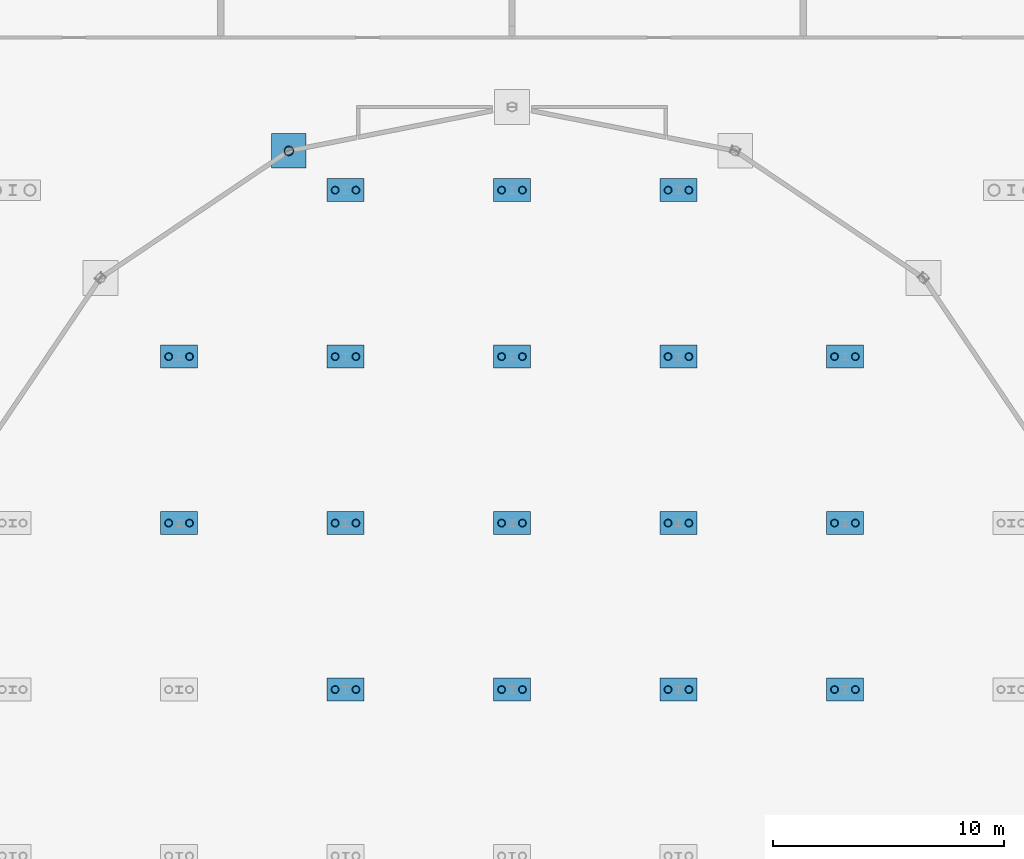
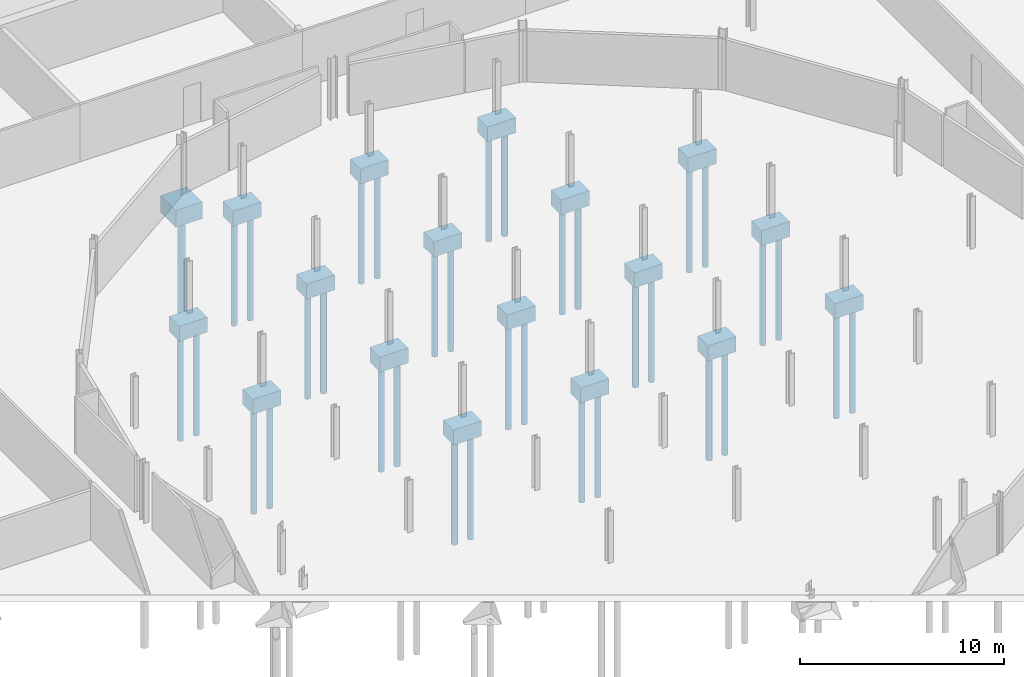
# One storey, part 10 of 148: 35 piles, 18 footings.
"""IFC4 building model written with IfcOpenShell, lengths in metres."""

import ifcopenshell
import ifcopenshell.guid

model = None  # the IFC model being written
_history = None  # IfcOwnerHistory: only IFC2X3 demands one
_inside = {}  # id of a spatial element -> (the spatial element, [elements in it])
_under = {}  # id of a project, library or spatial element -> (it, [spatial elements below it])
_declared = {}  # id of a project -> (the project, [libraries it declares])
_typed = {}  # id of a type object -> (the type object, [elements of that type])
_made_of = {}  # id of a material, layer set ... -> (it, [elements and type objects made of it])


def new_model(schema):
    """Start an empty IFC model of exactly this schema.

    Asked for "IFC4X3", IfcOpenShell would pick the latest addendum, in which some entities
    have other attributes; the version numbers below select the first issue.
    IFC2X3 requires an IfcOwnerHistory on every rooted entity: one is made here for all.
    """
    global model, _history
    if schema == "IFC4X3":
        model = ifcopenshell.file(schema_version=(4, 3, 0, 0))
    else:
        model = ifcopenshell.file(schema=schema)
    _inside.clear()
    _under.clear()
    _declared.clear()
    _typed.clear()
    _made_of.clear()
    _history = None
    if model.schema == "IFC2X3":
        org = make("IfcOrganization", Name="unknown")
        user = make(
            "IfcPersonAndOrganization",
            ThePerson=make("IfcPerson", FamilyName="unknown"),
            TheOrganization=org,
        )
        app = make(
            "IfcApplication",
            ApplicationDeveloper=org,
            Version="unknown",
            ApplicationFullName="unknown",
            ApplicationIdentifier="unknown",
        )
        _history = make(
            "IfcOwnerHistory",
            OwningUser=user,
            OwningApplication=app,
            ChangeAction="ADDED",
            CreationDate=0,
        )
    return model


def make(cls, **values):
    """One entity of the class cls with the attributes given. An attribute that is None is left unset."""
    return model.create_entity(
        cls, **{name: value for name, value in values.items() if value is not None}
    )


def rooted(cls, **values):
    """An entity with a GlobalId (a new one), such as an element, a storey or a relation."""
    return make(cls, GlobalId=ifcopenshell.guid.new(), OwnerHistory=_history, **values)


def si_unit(unit_type, name, prefix=None):
    """IfcSIUnit, for example si_unit("LENGTHUNIT", "METRE", prefix="MILLI")."""
    return make("IfcSIUnit", UnitType=unit_type, Prefix=prefix, Name=name)


def assignment(units):
    """IfcUnitAssignment: the units of a project."""
    return None if units is None else make("IfcUnitAssignment", Units=units)


def point(xyz):
    """IfcCartesianPoint."""
    return None if xyz is None else make("IfcCartesianPoint", Coordinates=xyz)


def direction(xyz):
    """IfcDirection."""
    return None if xyz is None else make("IfcDirection", DirectionRatios=xyz)


def frame(location, z_axis=None, x_axis=None):
    """IfcAxis2Placement3D, a coordinate frame: its origin and axes. An axis left out is left unset."""
    return make(
        "IfcAxis2Placement3D",
        Location=point(location),
        Axis=direction(z_axis),
        RefDirection=direction(x_axis),
    )


def frame_2d(location, x_axis=None):
    """IfcAxis2Placement2D, a coordinate frame in the plane: its origin and x axis."""
    return make(
        "IfcAxis2Placement2D", Location=point(location), RefDirection=direction(x_axis)
    )


def origin():
    """The frame at (0, 0, 0) with its axes left unset."""
    return frame((0.0, 0.0, 0.0))


def origin_2d():
    """The frame at (0, 0) in the plane with its x axis left unset."""
    return frame_2d((0.0, 0.0))


def place(relative_to, where):
    """IfcLocalPlacement: puts the frame where relative to a parent placement (None: the world)."""
    return make(
        "IfcLocalPlacement", PlacementRelTo=relative_to, RelativePlacement=where
    )


def context(
    kind, dimensions, precision=None, world=None, true_north=None, identifier=None
):
    """IfcGeometricRepresentationContext, for example the 3D "Model" context."""
    return make(
        "IfcGeometricRepresentationContext",
        ContextIdentifier=identifier,
        ContextType=kind,
        CoordinateSpaceDimension=dimensions,
        Precision=precision,
        WorldCoordinateSystem=world,
        TrueNorth=true_north,
    )


def subcontext(parent, identifier, kind, view, scale=None):
    """IfcGeometricRepresentationSubContext, for example "Body" below "Model"."""
    return make(
        "IfcGeometricRepresentationSubContext",
        ContextIdentifier=identifier,
        ContextType=kind,
        ParentContext=parent,
        TargetScale=scale,
        TargetView=view,
    )


def project(units=None, contexts=None):
    """IfcProject with its units and contexts."""
    return rooted(
        "IfcProject",
        Name="project",
        RepresentationContexts=contexts,
        UnitsInContext=assignment(units),
    )


def spatial(cls, under=None, at=None, **own):
    """A site, building, storey or space (cls), placed at a placement, below another one or the project."""
    s = rooted(cls, ObjectPlacement=at, **own)
    if under is not None:
        _under.setdefault(under.id(), (under, []))[1].append(s)
    return s


def profile(cls, at=None, kind="AREA", **sizes):
    """A parametric profile (cls). Its sizes go by their IFC names, for example OverallWidth=200.0."""
    return make(cls, ProfileType=kind, Position=at, **sizes)


def rectangle(**sizes):
    """IfcRectangleProfileDef."""
    return profile("IfcRectangleProfileDef", **sizes)


def hollow_circle(**sizes):
    """IfcCircleHollowProfileDef."""
    return profile("IfcCircleHollowProfileDef", **sizes)


def extrude(swept, where, along, depth):
    """IfcExtrudedAreaSolid: the profile swept, set in the frame where, extruded along a direction by depth."""
    return make(
        "IfcExtrudedAreaSolid",
        SweptArea=swept,
        Position=where,
        ExtrudedDirection=direction(along),
        Depth=depth,
    )


def shape(context_of_items, identifier, shape_type, items):
    """IfcShapeRepresentation: the items that make up one representation, for example the "Body"."""
    return make(
        "IfcShapeRepresentation",
        ContextOfItems=context_of_items,
        RepresentationIdentifier=identifier,
        RepresentationType=shape_type,
        Items=items,
    )


def material(Name=None, Category=None):
    """IfcMaterial."""
    return make("IfcMaterial", Name=Name, Category=Category)


def layer(
    of_material, thickness, ventilated=None, Name=None, Category=None, Priority=None
):
    """IfcMaterialLayer: one layer of a wall or slab, of a material (None: an air gap)."""
    return make(
        "IfcMaterialLayer",
        Material=of_material,
        LayerThickness=thickness,
        IsVentilated=ventilated,
        Name=Name,
        Category=Category,
        Priority=Priority,
    )


def layer_set(layers, Name=None):
    """IfcMaterialLayerSet."""
    return make("IfcMaterialLayerSet", MaterialLayers=layers, LayerSetName=Name)


def material_profile(
    of_material, cross_section, Name=None, Category=None, Priority=None
):
    """IfcMaterialProfile: a cross section and its material."""
    return make(
        "IfcMaterialProfile",
        Name=Name,
        Material=of_material,
        Profile=cross_section,
        Priority=Priority,
        Category=Category,
    )


def profile_set(profiles, Name=None, composite=None):
    """IfcMaterialProfileSet."""
    return make(
        "IfcMaterialProfileSet",
        Name=Name,
        MaterialProfiles=profiles,
        CompositeProfile=composite,
    )


def made_of(thing, what):
    """Note that an element or type object is made of a material, layer set ...; save() writes the relation."""
    if what is not None:
        _made_of.setdefault(what.id(), (what, []))[1].append(thing)
    return thing


def type_object(cls, material=None, **own):
    """A type object (cls), such as IfcWallType, which elements share."""
    return made_of(rooted(cls, **own), material)


def element(
    cls,
    number,
    at=None,
    inside=None,
    cuts=None,
    type_object=None,
    material=None,
    context=None,
    identifier="Body",
    shape_type=None,
    held_by="IfcProductDefinitionShape",
    body=None,
    shapes=None,
    **own,
):
    """One element of the class cls, such as IfcWall. Its Tag is "e" and its number.

    at: its placement. inside: the storey or other place that contains it. cuts: it is an
    opening in that element (IfcRelVoidsElement). A single representation is given by context,
    identifier, shape_type and body (its items); several are given by shapes. held_by: the class
    of the entity that holds the representations. save() writes the other relations.
    """
    e = rooted(cls, Tag="e%d" % number, ObjectPlacement=at, **own)
    if body is not None:
        shapes = [shape(context, identifier, shape_type, body)]
    if shapes is not None:
        e.Representation = make(held_by, Representations=shapes)
    if inside is not None:
        _inside.setdefault(inside.id(), (inside, []))[1].append(e)
    if cuts is not None:
        rooted(
            "IfcRelVoidsElement", RelatingBuildingElement=cuts, RelatedOpeningElement=e
        )
    if type_object is not None:
        _typed.setdefault(type_object.id(), (type_object, []))[1].append(e)
    return made_of(e, material)


def aggregate(whole, parts):
    """IfcRelAggregates: a whole, such as a stair, and the parts it consists of."""
    return rooted("IfcRelAggregates", RelatingObject=whole, RelatedObjects=parts)


def save(model, path):
    """Write the relations noted so far, then the file.

    IfcRelAggregates (storeys below a building ...), IfcRelContainedInSpatialStructure (elements
    in a storey), IfcRelDefinesByType, IfcRelAssociatesMaterial and IfcRelDeclares: one each for
    every whole, place, type object, material and project.
    """
    for whole, parts in _under.values():
        aggregate(whole, parts)
    for where, things in _inside.values():
        rooted(
            "IfcRelContainedInSpatialStructure",
            RelatedElements=things,
            RelatingStructure=where,
        )
    for kind, things in _typed.values():
        rooted("IfcRelDefinesByType", RelatedObjects=things, RelatingType=kind)
    for what, things in _made_of.values():
        rooted("IfcRelAssociatesMaterial", RelatedObjects=things, RelatingMaterial=what)
    for by, libraries in _declared.values():
        rooted("IfcRelDeclares", RelatingContext=by, RelatedDefinitions=libraries)
    model.write(path)


model = new_model("IFC4")

# Units and contexts
model_context = context("Model", 3, precision=1e-05, world=origin(), true_north=direction((0.0, 1.0)))
body_context = subcontext(model_context, "Body", "Model", "MODEL_VIEW")
ifc_project = project(units=[si_unit("LENGTHUNIT", "METRE"), si_unit("AREAUNIT", "SQUARE_METRE"), si_unit("VOLUMEUNIT", "CUBIC_METRE"), si_unit("PLANEANGLEUNIT", "RADIAN"), si_unit("MASSUNIT", "GRAM", prefix="KILO")], contexts=[model_context])

# Site, building, storey
site_placement = place(None, origin())
site = spatial("IfcSite", under=ifc_project, at=site_placement, CompositionType="ELEMENT")
building_placement = place(site_placement, origin())
building = spatial("IfcBuilding", under=site, at=building_placement, Name="Kupolbacken Congress Centre", CompositionType="ELEMENT")
storey_placement = place(building_placement, origin())
storey = spatial("IfcBuildingStorey", under=building, at=storey_placement, Name="L00", CompositionType="ELEMENT", Elevation=0.0)

# Footings
ifc_material_1 = material(Name="Concrete C30/37", Category="concrete")
ifc_layer_1 = layer(ifc_material_1, 0.89990234375)
ifc_layer_set_1 = layer_set([ifc_layer_1], Name="Concrete C30/37")
footing_type_1 = type_object("IfcFootingType", Name="PC7 pile cap 1.60 x 1.00 x 0.90 m", PredefinedType="PILE_CAP", material=ifc_layer_set_1)
for number, where, z_axis, x_axis, name in (
    (1, (28.800048828125, 93.60009765625, -1.199951171875), (0.0, 0.0, 1.0), (1.0, 0.0, 0.0), "S/fnd/C-PL-288-936/cap"),
    (2, (28.800048828125, 100.800048828125, -1.199951171875), (0.0, 0.0, 1.0), (1.0, 0.0, 0.0), "S/fnd/C-PL-288-1008/cap"),
    (3, (36.0, 86.39990234375, -1.199951171875), (0.0, 0.0, 1.0), (1.0, 0.0, 0.0), "S/fnd/C-PL-360-864/cap"),
    (4, (36.0, 93.60009765625, -1.199951171875), (0.0, 0.0, 1.0), (1.0, 0.0, 0.0), "S/fnd/C-PL-360-936/cap"),
    (5, (36.0, 100.800048828125, -1.199951171875), (0.0, 0.0, 1.0), (1.0, 0.0, 0.0), "S/fnd/C-PL-360-1008/cap"),
    (6, (36.0, 108.0, -1.199951171875), (0.0, 0.0, 1.0), (1.0, 0.0, 0.0), "S/fnd/C-PL-360-1080/cap"),
    (7, (43.199951171875, 86.39990234375, -1.199951171875), (0.0, 0.0, 1.0), (1.0, 0.0, 0.0), "S/fnd/C-PL-432-864/cap"),
    (8, (43.199951171875, 93.60009765625, -1.199951171875), (0.0, 0.0, 1.0), (1.0, 0.0, 0.0), "S/fnd/C-PL-432-936/cap"),
    (9, (43.199951171875, 100.800048828125, -1.199951171875), (0.0, 0.0, 1.0), (1.0, 0.0, 0.0), "S/fnd/C-PL-432-1008/cap"),
    (10, (43.199951171875, 108.0, -1.199951171875), (0.0, 0.0, 1.0), (1.0, 0.0, 0.0), "S/fnd/C-PL-432-1080/cap"),
    (11, (50.39990234375, 86.39990234375, -1.199951171875), (0.0, 0.0, 1.0), (1.0, 0.0, 0.0), "S/fnd/C-PL-504-864/cap"),
    (12, (50.39990234375, 93.60009765625, -1.199951171875), (0.0, 0.0, 1.0), (1.0, 0.0, 0.0), "S/fnd/C-PL-504-936/cap"),
    (13, (50.39990234375, 100.800048828125, -1.199951171875), (0.0, 0.0, 1.0), (1.0, 0.0, 0.0), "S/fnd/C-PL-504-1008/cap"),
    (14, (50.39990234375, 108.0, -1.199951171875), (0.0, 0.0, 1.0), (1.0, 0.0, 0.0), "S/fnd/C-PL-504-1080/cap"),
    (15, (57.60009765625, 86.39990234375, -1.199951171875), (0.0, 0.0, 1.0), (1.0, 0.0, 0.0), "S/fnd/C-PL-576-864/cap"),
    (16, (57.60009765625, 93.60009765625, -1.199951171875), (0.0, 0.0, 1.0), (1.0, 0.0, 0.0), "S/fnd/C-PL-576-936/cap"),
    (17, (57.60009765625, 100.800048828125, -1.199951171875), (0.0, 0.0, 1.0), (1.0, 0.0, 0.0), "S/fnd/C-PL-576-1008/cap"),
):
    element("IfcFooting", number, at=place(storey_placement, frame(where, z_axis=z_axis, x_axis=x_axis)), inside=storey, type_object=footing_type_1, Name=name, PredefinedType="PILE_CAP", context=body_context, shape_type="SweptSolid", body=[
        extrude(rectangle(XDim=1.60009765625, YDim=1.0, at=origin_2d()), origin(), (0.0, 0.0, 1.0), 0.89990234375),
    ])
ifc_material_2 = material(Name="Concrete C30/37", Category="concrete")
ifc_layer_2 = layer(ifc_material_2, 1.0)
ifc_layer_set_2 = layer_set([ifc_layer_2], Name="Concrete C30/37")
footing_type_2 = type_object("IfcFootingType", Name="PC8 pile cap 1.50 x 1.50 x 1.00 m", PredefinedType="PILE_CAP", material=ifc_layer_set_2)
footing_placement = place(storey_placement, frame((33.550048828125, 109.699951171875, -1.300048828125), z_axis=(0.0, 0.0, 1.0), x_axis=(1.0, 0.0, 0.0)))
element("IfcFooting", 18, at=footing_placement, inside=storey, type_object=footing_type_2, Name="S/fnd/C-D06/cap", PredefinedType="PILE_CAP", context=body_context, shape_type="SweptSolid", body=[
    extrude(rectangle(XDim=1.5, YDim=1.5, at=origin_2d()), origin(), (0.0, 0.0, 1.0), 1.0),
])

# Piles
ifc_material_3 = material(Name="Steel S355", Category="steel")
ifc_material_profile_1 = material_profile(ifc_material_3, hollow_circle(Radius=0.161865234375, WallThickness=0.012451171875, at=origin_2d()), Name="CHS 323.9 x 12.5")
ifc_profile_set_1 = profile_set([ifc_material_profile_1], Name="Steel S355")
pile_type_1 = type_object("IfcPileType", Name="PL1 steel tube pile CHS 323.9 x 12.5", PredefinedType="BORED", material=ifc_profile_set_1)
for number, where, z_axis, x_axis, name in (
    (19, (28.35009765625, 93.60009765625, -1.199951171875), (0.0, 0.0, -1.0), (1.0, 0.0, 0.0), "S/fnd/C-PL-288-936/pile1"),
    (20, (29.25, 93.60009765625, -1.199951171875), (0.0, 0.0, -1.0), (1.0, 0.0, 0.0), "S/fnd/C-PL-288-936/pile2"),
    (21, (28.35009765625, 100.800048828125, -1.199951171875), (0.0, 0.0, -1.0), (1.0, 0.0, 0.0), "S/fnd/C-PL-288-1008/pile1"),
    (22, (29.25, 100.800048828125, -1.199951171875), (0.0, 0.0, -1.0), (1.0, 0.0, 0.0), "S/fnd/C-PL-288-1008/pile2"),
    (23, (35.550048828125, 86.39990234375, -1.199951171875), (0.0, 0.0, -1.0), (1.0, 0.0, 0.0), "S/fnd/C-PL-360-864/pile1"),
    (24, (36.449951171875, 86.39990234375, -1.199951171875), (0.0, 0.0, -1.0), (1.0, 0.0, 0.0), "S/fnd/C-PL-360-864/pile2"),
    (25, (35.550048828125, 93.60009765625, -1.199951171875), (0.0, 0.0, -1.0), (1.0, 0.0, 0.0), "S/fnd/C-PL-360-936/pile1"),
    (26, (36.449951171875, 93.60009765625, -1.199951171875), (0.0, 0.0, -1.0), (1.0, 0.0, 0.0), "S/fnd/C-PL-360-936/pile2"),
    (27, (35.550048828125, 100.800048828125, -1.199951171875), (0.0, 0.0, -1.0), (1.0, 0.0, 0.0), "S/fnd/C-PL-360-1008/pile1"),
    (28, (36.449951171875, 100.800048828125, -1.199951171875), (0.0, 0.0, -1.0), (1.0, 0.0, 0.0), "S/fnd/C-PL-360-1008/pile2"),
    (29, (35.550048828125, 108.0, -1.199951171875), (0.0, 0.0, -1.0), (1.0, 0.0, 0.0), "S/fnd/C-PL-360-1080/pile1"),
    (30, (36.449951171875, 108.0, -1.199951171875), (0.0, 0.0, -1.0), (1.0, 0.0, 0.0), "S/fnd/C-PL-360-1080/pile2"),
    (31, (42.75, 86.39990234375, -1.199951171875), (0.0, 0.0, -1.0), (1.0, 0.0, 0.0), "S/fnd/C-PL-432-864/pile1"),
    (32, (43.64990234375, 86.39990234375, -1.199951171875), (0.0, 0.0, -1.0), (1.0, 0.0, 0.0), "S/fnd/C-PL-432-864/pile2"),
    (33, (42.75, 93.60009765625, -1.199951171875), (0.0, 0.0, -1.0), (1.0, 0.0, 0.0), "S/fnd/C-PL-432-936/pile1"),
    (34, (43.64990234375, 93.60009765625, -1.199951171875), (0.0, 0.0, -1.0), (1.0, 0.0, 0.0), "S/fnd/C-PL-432-936/pile2"),
    (35, (42.75, 100.800048828125, -1.199951171875), (0.0, 0.0, -1.0), (1.0, 0.0, 0.0), "S/fnd/C-PL-432-1008/pile1"),
    (36, (43.64990234375, 100.800048828125, -1.199951171875), (0.0, 0.0, -1.0), (1.0, 0.0, 0.0), "S/fnd/C-PL-432-1008/pile2"),
    (37, (42.75, 108.0, -1.199951171875), (0.0, 0.0, -1.0), (1.0, 0.0, 0.0), "S/fnd/C-PL-432-1080/pile1"),
    (38, (43.64990234375, 108.0, -1.199951171875), (0.0, 0.0, -1.0), (1.0, 0.0, 0.0), "S/fnd/C-PL-432-1080/pile2"),
    (39, (49.949951171875, 86.39990234375, -1.199951171875), (0.0, 0.0, -1.0), (1.0, 0.0, 0.0), "S/fnd/C-PL-504-864/pile1"),
    (40, (50.85009765625, 86.39990234375, -1.199951171875), (0.0, 0.0, -1.0), (1.0, 0.0, 0.0), "S/fnd/C-PL-504-864/pile2"),
    (41, (49.949951171875, 93.60009765625, -1.199951171875), (0.0, 0.0, -1.0), (1.0, 0.0, 0.0), "S/fnd/C-PL-504-936/pile1"),
    (42, (50.85009765625, 93.60009765625, -1.199951171875), (0.0, 0.0, -1.0), (1.0, 0.0, 0.0), "S/fnd/C-PL-504-936/pile2"),
    (43, (49.949951171875, 100.800048828125, -1.199951171875), (0.0, 0.0, -1.0), (1.0, 0.0, 0.0), "S/fnd/C-PL-504-1008/pile1"),
    (44, (50.85009765625, 100.800048828125, -1.199951171875), (0.0, 0.0, -1.0), (1.0, 0.0, 0.0), "S/fnd/C-PL-504-1008/pile2"),
    (45, (49.949951171875, 108.0, -1.199951171875), (0.0, 0.0, -1.0), (1.0, 0.0, 0.0), "S/fnd/C-PL-504-1080/pile1"),
    (46, (50.85009765625, 108.0, -1.199951171875), (0.0, 0.0, -1.0), (1.0, 0.0, 0.0), "S/fnd/C-PL-504-1080/pile2"),
    (47, (57.14990234375, 86.39990234375, -1.199951171875), (0.0, 0.0, -1.0), (1.0, 0.0, 0.0), "S/fnd/C-PL-576-864/pile1"),
    (48, (58.050048828125, 86.39990234375, -1.199951171875), (0.0, 0.0, -1.0), (1.0, 0.0, 0.0), "S/fnd/C-PL-576-864/pile2"),
    (49, (57.14990234375, 93.60009765625, -1.199951171875), (0.0, 0.0, -1.0), (1.0, 0.0, 0.0), "S/fnd/C-PL-576-936/pile1"),
    (50, (58.050048828125, 93.60009765625, -1.199951171875), (0.0, 0.0, -1.0), (1.0, 0.0, 0.0), "S/fnd/C-PL-576-936/pile2"),
    (51, (57.14990234375, 100.800048828125, -1.199951171875), (0.0, 0.0, -1.0), (1.0, 0.0, 0.0), "S/fnd/C-PL-576-1008/pile1"),
    (52, (58.050048828125, 100.800048828125, -1.199951171875), (0.0, 0.0, -1.0), (1.0, 0.0, 0.0), "S/fnd/C-PL-576-1008/pile2"),
):
    element("IfcPile", number, at=place(storey_placement, frame(where, z_axis=z_axis, x_axis=x_axis)), inside=storey, type_object=pile_type_1, Name=name, PredefinedType="BORED", context=body_context, shape_type="SweptSolid", body=[
        extrude(hollow_circle(Radius=0.161865234375, WallThickness=0.012451171875, at=origin_2d()), origin(), (0.0, 0.0, 1.0), 6.300048828125),
    ])
ifc_material_4 = material(Name="Steel S355", Category="steel")
ifc_material_profile_2 = material_profile(ifc_material_4, hollow_circle(Radius=0.203125, WallThickness=0.01611328125, at=origin_2d()), Name="CHS 406.4 x 16")
ifc_profile_set_2 = profile_set([ifc_material_profile_2], Name="Steel S355")
pile_type_2 = type_object("IfcPileType", Name="PL2 steel tube pile CHS 406.4 x 16", PredefinedType="BORED", material=ifc_profile_set_2)
pile_placement = place(storey_placement, frame((33.550048828125, 109.699951171875, -1.300048828125), z_axis=(0.0, 0.0, -1.0), x_axis=(1.0, 0.0, 0.0)))
element("IfcPile", 53, at=pile_placement, inside=storey, type_object=pile_type_2, Name="S/fnd/C-D06/pile1", PredefinedType="BORED", context=body_context, shape_type="SweptSolid", body=[
    extrude(hollow_circle(Radius=0.203125, WallThickness=0.01611328125, at=origin_2d()), origin(), (0.0, 0.0, 1.0), 6.199951171875),
])

save(model, "model.ifc")
